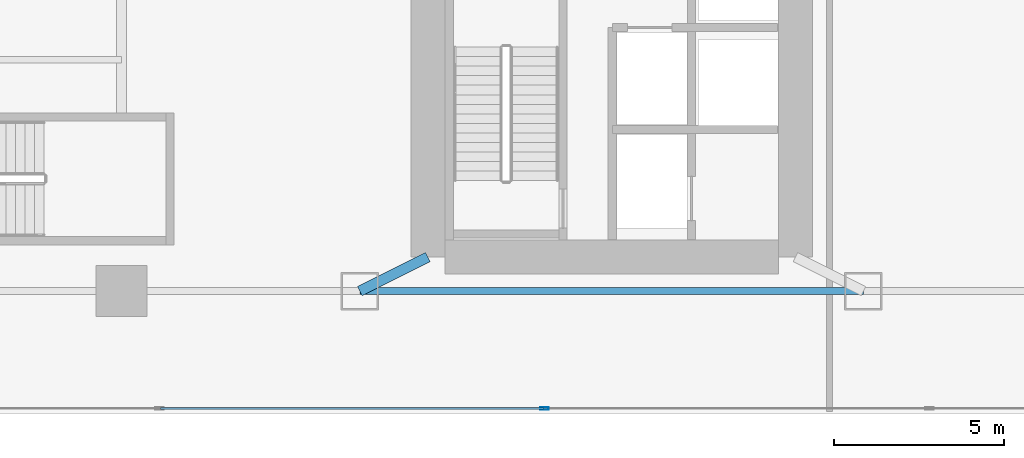
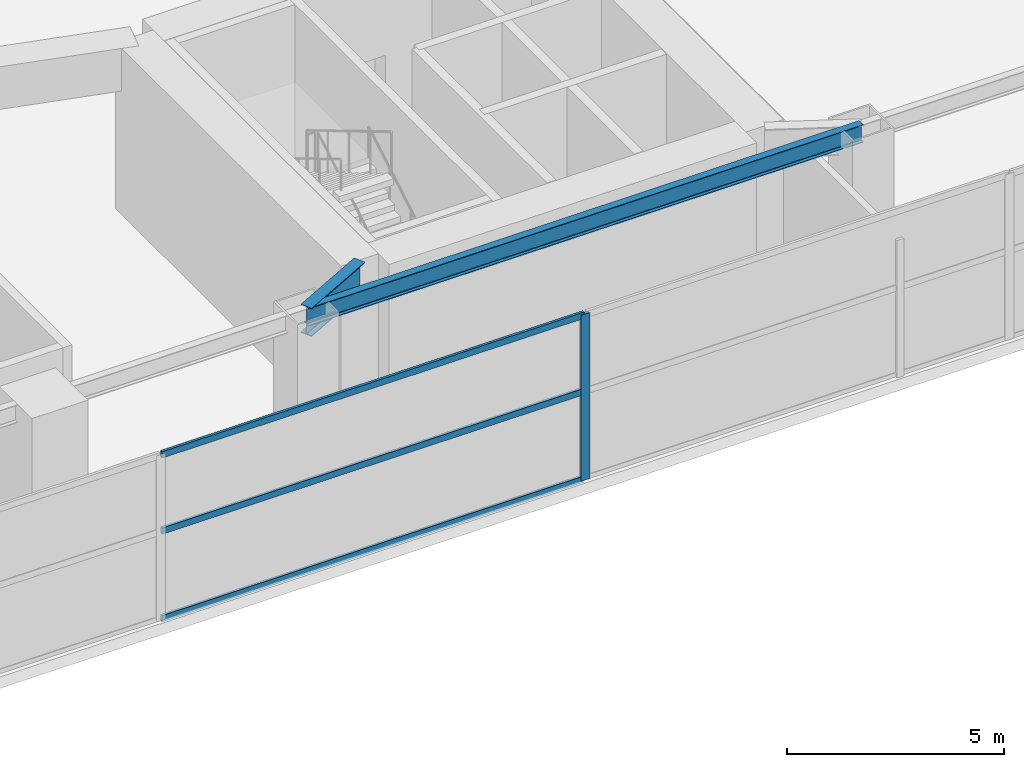
# One storey, part 7 of 35: 4 members, 2 beams, 1 element without a shape of its own.
"""IFC4 building model written with IfcOpenShell, lengths in metres."""

from ifc_helpers import new_model, si_unit, direction, frame, origin, origin_2d, place, context, subcontext, project, spatial, hollow_rectangle, i_section, extrude, material, layer, layer_set, material_profile, profile_set, type_object, element, aggregate, save


model = new_model("IFC4")

# Units and contexts
model_context = context("Model", 3, precision=1e-05, world=origin(), true_north=direction((0.0, 1.0)))
body_context = subcontext(model_context, "Body", "Model", "MODEL_VIEW")
ifc_project = project(units=[si_unit("LENGTHUNIT", "METRE"), si_unit("AREAUNIT", "SQUARE_METRE"), si_unit("VOLUMEUNIT", "CUBIC_METRE"), si_unit("PLANEANGLEUNIT", "RADIAN"), si_unit("MASSUNIT", "GRAM", prefix="KILO")], contexts=[model_context])

# Site, building, storey
site_placement = place(None, origin())
site = spatial("IfcSite", under=ifc_project, at=site_placement, CompositionType="ELEMENT")
building_placement = place(site_placement, origin())
building = spatial("IfcBuilding", under=site, at=building_placement, Name="Calvorn Quay Hotel", CompositionType="ELEMENT")
storey_placement = place(building_placement, frame((0.0, 0.0, 12.0)))
storey = spatial("IfcBuildingStorey", under=building, at=storey_placement, Name="L02", CompositionType="ELEMENT", Elevation=12.0)

# Beams
ifc_material_1 = material(Name="Steel Q390GJC", Category="steel")
ifc_material_profile_1 = material_profile(ifc_material_1, i_section(OverallWidth=0.300048828125, OverallDepth=0.800048828125, WebThickness=0.013916015625, FlangeThickness=0.02587890625, FilletRadius=0.02392578125, at=origin_2d()), Name="HN800x300x14x26")
ifc_profile_set_1 = profile_set([ifc_material_profile_1], Name="Steel Q390GJC")
beam_type_1 = type_object("IfcBeamType", Name="BM-GIRD-POD", PredefinedType="BEAM", material=ifc_profile_set_1)
beam_1_placement = place(storey_placement, frame((19.60009765625, 3.60009765625, 4.280029296875), z_axis=(0.894427191, 0.4472135955, 0.0), x_axis=(-0.4472135955, 0.894427191, 0.0)))
element("IfcBeam", 1, at=beam_1_placement, inside=storey, type_object=beam_type_1, Name="Beam BG-L02-S2", PredefinedType="BEAM", context=body_context, shape_type="SweptSolid", body=[
    extrude(i_section(OverallWidth=0.300048828125, OverallDepth=0.800048828125, WebThickness=0.013916015625, FlangeThickness=0.02587890625, FilletRadius=0.02392578125, at=origin_2d()), origin(), (0.0, 0.0, 1.0), 2.236083984375),
])
ifc_material_2 = material(Name="Steel Q355B", Category="steel")
ifc_material_profile_2 = material_profile(ifc_material_2, i_section(OverallWidth=0.199951171875, OverallDepth=0.5, WebThickness=0.010009765625, FlangeThickness=0.01611328125, FilletRadius=0.01611328125, at=origin_2d()), Name="HN500x200x10x16")
ifc_profile_set_2 = profile_set([ifc_material_profile_2], Name="Steel Q355B")
beam_type_2 = type_object("IfcBeamType", Name="BM-SPANDREL-Z1", PredefinedType="SPANDREL", material=ifc_profile_set_2)
beam_2_placement = place(storey_placement, frame((19.60009765625, 3.60009765625, 4.429931640625), z_axis=(1.0, 0.0, 0.0), x_axis=(0.0, 1.0, 0.0)))
element("IfcBeam", 2, at=beam_2_placement, inside=storey, type_object=beam_type_2, Name="Beam BSP-L02-S3", PredefinedType="SPANDREL", context=body_context, shape_type="SweptSolid", body=[
    extrude(i_section(OverallWidth=0.199951171875, OverallDepth=0.5, WebThickness=0.010009765625, FlangeThickness=0.01611328125, FilletRadius=0.01611328125, at=origin_2d()), origin(), (0.0, 0.0, 1.0), 14.7998046875),
])

# Curtain wall, members
ifc_material_3 = material(Name="Pale Anodised Aluminium and Low-E Glass", Category="aluminium")
ifc_layer = layer(ifc_material_3, 0.219970703125)
ifc_layer_set = layer_set([ifc_layer], Name="CW-SYS-POD")
curtain_wall_type = type_object("IfcCurtainWallType", Name="CW-SYS-POD", PredefinedType="NOTDEFINED", material=ifc_layer_set)
curtain_wall_placement = place(storey_placement, origin())
curtain_wall = element("IfcCurtainWall", 3, at=curtain_wall_placement, inside=storey, type_object=curtain_wall_type, Name="Podium Curtain Wall L02-S1", PredefinedType="NOTDEFINED")
ifc_material_4 = material(Name="Pale Anodised Aluminium 6063-T6", Category="aluminium")
ifc_material_profile_3 = material_profile(ifc_material_4, hollow_rectangle(XDim=0.080078125, YDim=0.239990234375, WallThickness=0.0048828125, at=origin_2d()), Name="ALU-M240x80x5")
ifc_profile_set_3 = profile_set([ifc_material_profile_3], Name="Pale Anodised Aluminium 6063-T6")
member_type_1 = type_object("IfcMemberType", Name="CW-SYS-POD-MUL", PredefinedType="MULLION", material=ifc_profile_set_3)
member_1_placement = place(storey_placement, frame((25.028564453125, 0.14990234375, 0.0), z_axis=(0.0, 0.0, 1.0), x_axis=(0.0, 1.0, 0.0)))
member_1 = element("IfcMember", 4, at=member_1_placement, type_object=member_type_1, Name="CW-L02-S1 mullion 3", PredefinedType="MULLION", context=body_context, shape_type="SweptSolid", body=[
    extrude(hollow_rectangle(XDim=0.080078125, YDim=0.239990234375, WallThickness=0.0048828125, at=origin_2d()), origin(), (0.0, 0.0, 1.0), 4.679931640625),
])
ifc_material_5 = material(Name="Pale Anodised Aluminium 6063-T6", Category="aluminium")
ifc_material_profile_4 = material_profile(ifc_material_5, hollow_rectangle(XDim=0.070068359375, YDim=0.179931640625, WallThickness=0.00390625, at=origin_2d()), Name="ALU-T180x70x4")
ifc_profile_set_4 = profile_set([ifc_material_profile_4], Name="Pale Anodised Aluminium 6063-T6")
member_type_2 = type_object("IfcMemberType", Name="CW-SYS-POD-TRN", PredefinedType="USERDEFINED", material=ifc_profile_set_4)
member_2_placement = place(storey_placement, frame((13.744384765625, 0.14990234375, 0.030029296875), z_axis=(1.0, 0.0, 0.0), x_axis=(0.0, 1.0, 0.0)))
member_2 = element("IfcMember", 5, at=member_2_placement, type_object=member_type_2, Name="CW-L02-S1 transom 2.1", ObjectType="TRANSOM", PredefinedType="USERDEFINED", context=body_context, shape_type="SweptSolid", body=[
    extrude(hollow_rectangle(XDim=0.070068359375, YDim=0.179931640625, WallThickness=0.00390625, at=origin_2d()), origin(), (0.0, 0.0, 1.0), 11.254150390625),
])
member_3_placement = place(storey_placement, frame((13.744384765625, 0.14990234375, 2.5), z_axis=(1.0, 0.0, 0.0), x_axis=(0.0, 1.0, 0.0)))
member_3 = element("IfcMember", 6, at=member_3_placement, type_object=member_type_2, Name="CW-L02-S1 transom 2.2", ObjectType="TRANSOM", PredefinedType="USERDEFINED", context=body_context, shape_type="SweptSolid", body=[
    extrude(hollow_rectangle(XDim=0.070068359375, YDim=0.179931640625, WallThickness=0.00390625, at=origin_2d()), origin(), (0.0, 0.0, 1.0), 11.254150390625),
])
member_4_placement = place(storey_placement, frame((13.744384765625, 0.14990234375, 4.64990234375), z_axis=(1.0, 0.0, 0.0), x_axis=(0.0, 1.0, 0.0)))
member_4 = element("IfcMember", 7, at=member_4_placement, type_object=member_type_2, Name="CW-L02-S1 transom 2.3", ObjectType="TRANSOM", PredefinedType="USERDEFINED", context=body_context, shape_type="SweptSolid", body=[
    extrude(hollow_rectangle(XDim=0.070068359375, YDim=0.179931640625, WallThickness=0.00390625, at=origin_2d()), origin(), (0.0, 0.0, 1.0), 11.254150390625),
])
aggregate(curtain_wall, [member_1, member_2, member_3, member_4])

save(model, "model.ifc")
